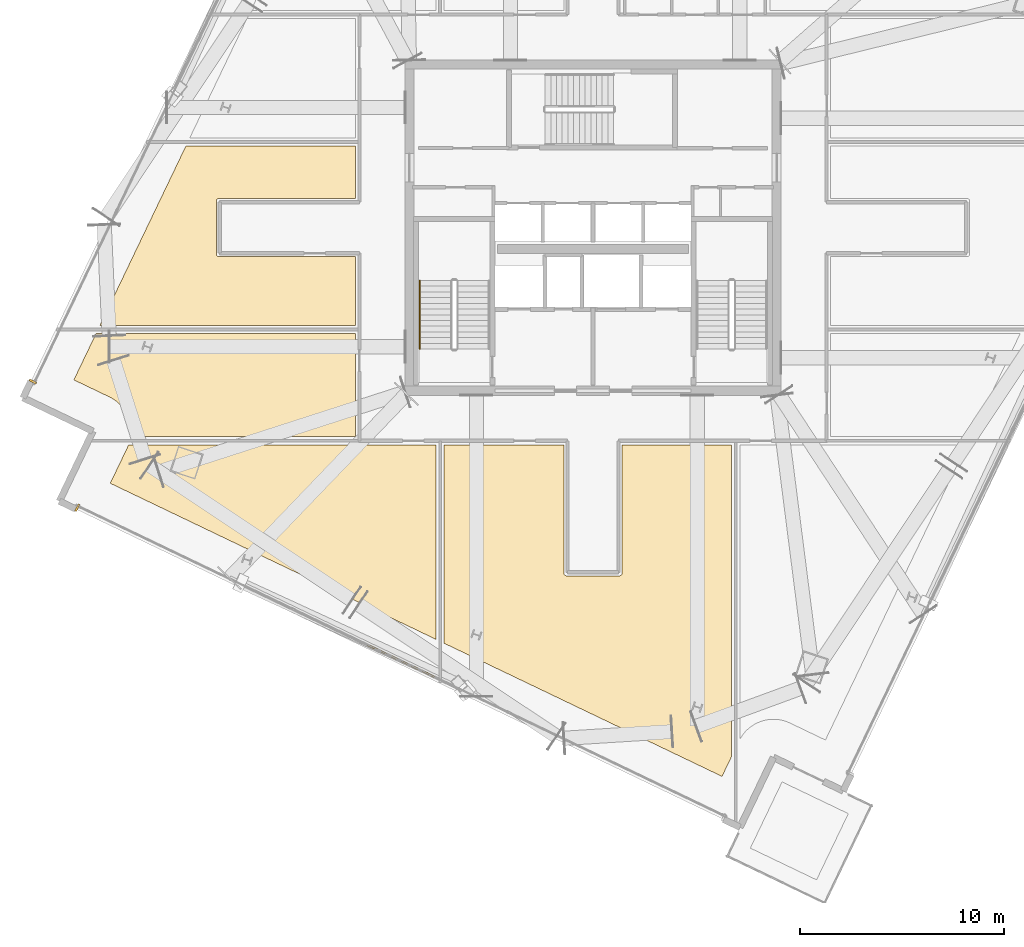
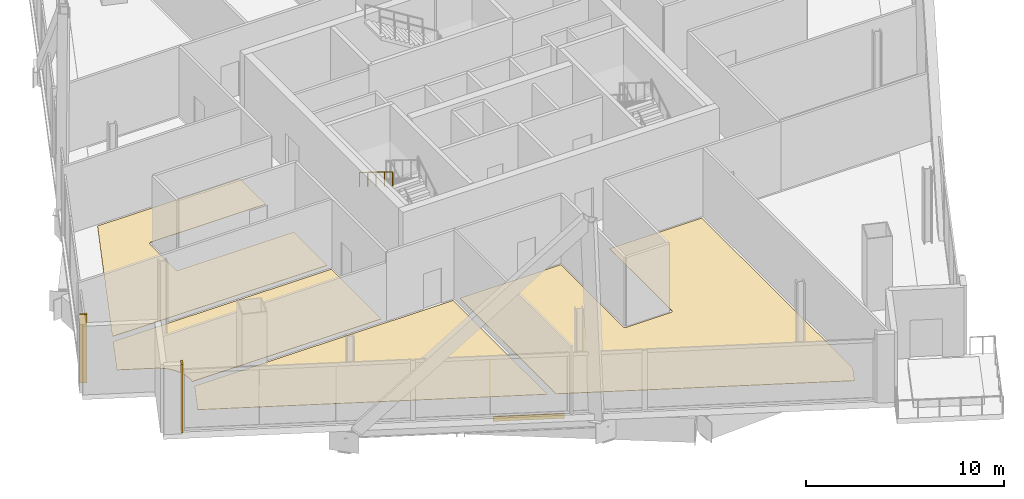
# One storey, part 20 of 24: 7 coverings, 1 railing.
"""IFC4 building model written with IfcOpenShell, lengths in metres."""

import ifcopenshell
import ifcopenshell.guid

model = None  # the IFC model being written
_history = None  # IfcOwnerHistory: only IFC2X3 demands one
_inside = {}  # id of a spatial element -> (the spatial element, [elements in it])
_under = {}  # id of a project, library or spatial element -> (it, [spatial elements below it])
_declared = {}  # id of a project -> (the project, [libraries it declares])
_typed = {}  # id of a type object -> (the type object, [elements of that type])
_made_of = {}  # id of a material, layer set ... -> (it, [elements and type objects made of it])


def new_model(schema):
    """Start an empty IFC model of exactly this schema.

    Asked for "IFC4X3", IfcOpenShell would pick the latest addendum, in which some entities
    have other attributes; the version numbers below select the first issue.
    IFC2X3 requires an IfcOwnerHistory on every rooted entity: one is made here for all.
    """
    global model, _history
    if schema == "IFC4X3":
        model = ifcopenshell.file(schema_version=(4, 3, 0, 0))
    else:
        model = ifcopenshell.file(schema=schema)
    _inside.clear()
    _under.clear()
    _declared.clear()
    _typed.clear()
    _made_of.clear()
    _history = None
    if model.schema == "IFC2X3":
        org = make("IfcOrganization", Name="unknown")
        user = make(
            "IfcPersonAndOrganization",
            ThePerson=make("IfcPerson", FamilyName="unknown"),
            TheOrganization=org,
        )
        app = make(
            "IfcApplication",
            ApplicationDeveloper=org,
            Version="unknown",
            ApplicationFullName="unknown",
            ApplicationIdentifier="unknown",
        )
        _history = make(
            "IfcOwnerHistory",
            OwningUser=user,
            OwningApplication=app,
            ChangeAction="ADDED",
            CreationDate=0,
        )
    return model


def make(cls, **values):
    """One entity of the class cls with the attributes given. An attribute that is None is left unset."""
    return model.create_entity(
        cls, **{name: value for name, value in values.items() if value is not None}
    )


def rooted(cls, **values):
    """An entity with a GlobalId (a new one), such as an element, a storey or a relation."""
    return make(cls, GlobalId=ifcopenshell.guid.new(), OwnerHistory=_history, **values)


def si_unit(unit_type, name, prefix=None):
    """IfcSIUnit, for example si_unit("LENGTHUNIT", "METRE", prefix="MILLI")."""
    return make("IfcSIUnit", UnitType=unit_type, Prefix=prefix, Name=name)


def assignment(units):
    """IfcUnitAssignment: the units of a project."""
    return None if units is None else make("IfcUnitAssignment", Units=units)


def point(xyz):
    """IfcCartesianPoint."""
    return None if xyz is None else make("IfcCartesianPoint", Coordinates=xyz)


def direction(xyz):
    """IfcDirection."""
    return None if xyz is None else make("IfcDirection", DirectionRatios=xyz)


def frame(location, z_axis=None, x_axis=None):
    """IfcAxis2Placement3D, a coordinate frame: its origin and axes. An axis left out is left unset."""
    return make(
        "IfcAxis2Placement3D",
        Location=point(location),
        Axis=direction(z_axis),
        RefDirection=direction(x_axis),
    )


def frame_2d(location, x_axis=None):
    """IfcAxis2Placement2D, a coordinate frame in the plane: its origin and x axis."""
    return make(
        "IfcAxis2Placement2D", Location=point(location), RefDirection=direction(x_axis)
    )


def origin():
    """The frame at (0, 0, 0) with its axes left unset."""
    return frame((0.0, 0.0, 0.0))


def origin_2d():
    """The frame at (0, 0) in the plane with its x axis left unset."""
    return frame_2d((0.0, 0.0))


def place(relative_to, where):
    """IfcLocalPlacement: puts the frame where relative to a parent placement (None: the world)."""
    return make(
        "IfcLocalPlacement", PlacementRelTo=relative_to, RelativePlacement=where
    )


def context(
    kind, dimensions, precision=None, world=None, true_north=None, identifier=None
):
    """IfcGeometricRepresentationContext, for example the 3D "Model" context."""
    return make(
        "IfcGeometricRepresentationContext",
        ContextIdentifier=identifier,
        ContextType=kind,
        CoordinateSpaceDimension=dimensions,
        Precision=precision,
        WorldCoordinateSystem=world,
        TrueNorth=true_north,
    )


def subcontext(parent, identifier, kind, view, scale=None):
    """IfcGeometricRepresentationSubContext, for example "Body" below "Model"."""
    return make(
        "IfcGeometricRepresentationSubContext",
        ContextIdentifier=identifier,
        ContextType=kind,
        ParentContext=parent,
        TargetScale=scale,
        TargetView=view,
    )


def project(units=None, contexts=None):
    """IfcProject with its units and contexts."""
    return rooted(
        "IfcProject",
        Name="project",
        RepresentationContexts=contexts,
        UnitsInContext=assignment(units),
    )


def spatial(cls, under=None, at=None, **own):
    """A site, building, storey or space (cls), placed at a placement, below another one or the project."""
    s = rooted(cls, ObjectPlacement=at, **own)
    if under is not None:
        _under.setdefault(under.id(), (under, []))[1].append(s)
    return s


def polyline(points):
    """IfcPolyline through the points."""
    return make("IfcPolyline", Points=[point(p) for p in points])


def profile(cls, at=None, kind="AREA", **sizes):
    """A parametric profile (cls). Its sizes go by their IFC names, for example OverallWidth=200.0."""
    return make(cls, ProfileType=kind, Position=at, **sizes)


def rectangle(**sizes):
    """IfcRectangleProfileDef."""
    return profile("IfcRectangleProfileDef", **sizes)


def outline(outer, holes=None, kind="AREA"):
    """IfcArbitraryClosedProfileDef: a profile drawn as a closed curve; with holes, ...WithVoids."""
    if holes is None:
        return make("IfcArbitraryClosedProfileDef", ProfileType=kind, OuterCurve=outer)
    return make(
        "IfcArbitraryProfileDefWithVoids",
        ProfileType=kind,
        OuterCurve=outer,
        InnerCurves=holes,
    )


def extrude(swept, where, along, depth):
    """IfcExtrudedAreaSolid: the profile swept, set in the frame where, extruded along a direction by depth."""
    return make(
        "IfcExtrudedAreaSolid",
        SweptArea=swept,
        Position=where,
        ExtrudedDirection=direction(along),
        Depth=depth,
    )


def shape(context_of_items, identifier, shape_type, items):
    """IfcShapeRepresentation: the items that make up one representation, for example the "Body"."""
    return make(
        "IfcShapeRepresentation",
        ContextOfItems=context_of_items,
        RepresentationIdentifier=identifier,
        RepresentationType=shape_type,
        Items=items,
    )


def source(mapping_origin, context_of_items, identifier, shape_type, items):
    """IfcRepresentationMap: a shape defined once, which mapped items show again and again."""
    return make(
        "IfcRepresentationMap",
        MappingOrigin=mapping_origin,
        MappedRepresentation=shape(context_of_items, identifier, shape_type, items),
    )


def transform(
    local_origin,
    x_axis=None,
    y_axis=None,
    z_axis=None,
    scale=None,
    scale2=None,
    scale3=None,
    uniform=True,
):
    """IfcCartesianTransformationOperator3D, or its non-uniform kind. x_axis, y_axis, z_axis: its Axis1, 2, 3."""
    if uniform:
        return make(
            "IfcCartesianTransformationOperator3D",
            Axis1=direction(x_axis),
            Axis2=direction(y_axis),
            LocalOrigin=point(local_origin),
            Scale=scale,
            Axis3=direction(z_axis),
        )
    return make(
        "IfcCartesianTransformationOperator3DnonUniform",
        Axis1=direction(x_axis),
        Axis2=direction(y_axis),
        LocalOrigin=point(local_origin),
        Scale=scale,
        Axis3=direction(z_axis),
        Scale2=scale2,
        Scale3=scale3,
    )


def mapped(mapping_source, mapping_target):
    """IfcMappedItem: shows the shape of a source again, moved by a transform."""
    return make(
        "IfcMappedItem", MappingSource=mapping_source, MappingTarget=mapping_target
    )


def material(Name=None, Category=None):
    """IfcMaterial."""
    return make("IfcMaterial", Name=Name, Category=Category)


def layer(
    of_material, thickness, ventilated=None, Name=None, Category=None, Priority=None
):
    """IfcMaterialLayer: one layer of a wall or slab, of a material (None: an air gap)."""
    return make(
        "IfcMaterialLayer",
        Material=of_material,
        LayerThickness=thickness,
        IsVentilated=ventilated,
        Name=Name,
        Category=Category,
        Priority=Priority,
    )


def layer_set(layers, Name=None):
    """IfcMaterialLayerSet."""
    return make("IfcMaterialLayerSet", MaterialLayers=layers, LayerSetName=Name)


def made_of(thing, what):
    """Note that an element or type object is made of a material, layer set ...; save() writes the relation."""
    if what is not None:
        _made_of.setdefault(what.id(), (what, []))[1].append(thing)
    return thing


def type_object(cls, material=None, **own):
    """A type object (cls), such as IfcWallType, which elements share."""
    return made_of(rooted(cls, **own), material)


def element(
    cls,
    number,
    at=None,
    inside=None,
    cuts=None,
    type_object=None,
    material=None,
    context=None,
    identifier="Body",
    shape_type=None,
    held_by="IfcProductDefinitionShape",
    body=None,
    shapes=None,
    **own,
):
    """One element of the class cls, such as IfcWall. Its Tag is "e" and its number.

    at: its placement. inside: the storey or other place that contains it. cuts: it is an
    opening in that element (IfcRelVoidsElement). A single representation is given by context,
    identifier, shape_type and body (its items); several are given by shapes. held_by: the class
    of the entity that holds the representations. save() writes the other relations.
    """
    e = rooted(cls, Tag="e%d" % number, ObjectPlacement=at, **own)
    if body is not None:
        shapes = [shape(context, identifier, shape_type, body)]
    if shapes is not None:
        e.Representation = make(held_by, Representations=shapes)
    if inside is not None:
        _inside.setdefault(inside.id(), (inside, []))[1].append(e)
    if cuts is not None:
        rooted(
            "IfcRelVoidsElement", RelatingBuildingElement=cuts, RelatedOpeningElement=e
        )
    if type_object is not None:
        _typed.setdefault(type_object.id(), (type_object, []))[1].append(e)
    return made_of(e, material)


def aggregate(whole, parts):
    """IfcRelAggregates: a whole, such as a stair, and the parts it consists of."""
    return rooted("IfcRelAggregates", RelatingObject=whole, RelatedObjects=parts)


def save(model, path):
    """Write the relations noted so far, then the file.

    IfcRelAggregates (storeys below a building ...), IfcRelContainedInSpatialStructure (elements
    in a storey), IfcRelDefinesByType, IfcRelAssociatesMaterial and IfcRelDeclares: one each for
    every whole, place, type object, material and project.
    """
    for whole, parts in _under.values():
        aggregate(whole, parts)
    for where, things in _inside.values():
        rooted(
            "IfcRelContainedInSpatialStructure",
            RelatedElements=things,
            RelatingStructure=where,
        )
    for kind, things in _typed.values():
        rooted("IfcRelDefinesByType", RelatedObjects=things, RelatingType=kind)
    for what, things in _made_of.values():
        rooted("IfcRelAssociatesMaterial", RelatedObjects=things, RelatingMaterial=what)
    for by, libraries in _declared.values():
        rooted("IfcRelDeclares", RelatingContext=by, RelatedDefinitions=libraries)
    model.write(path)


model = new_model("IFC4")

# Units and contexts
model_context = context("Model", 3, precision=1e-05, world=origin(), true_north=direction((0.0, 1.0)))
body_context = subcontext(model_context, "Body", "Model", "MODEL_VIEW")
ifc_project = project(units=[si_unit("LENGTHUNIT", "METRE"), si_unit("AREAUNIT", "SQUARE_METRE"), si_unit("VOLUMEUNIT", "CUBIC_METRE"), si_unit("PLANEANGLEUNIT", "RADIAN"), si_unit("MASSUNIT", "GRAM", prefix="KILO")], contexts=[model_context])

# Site, building, storey
site_placement = place(None, origin())
site = spatial("IfcSite", under=ifc_project, at=site_placement, CompositionType="ELEMENT")
building_placement = place(site_placement, origin())
building = spatial("IfcBuilding", under=site, at=building_placement, Name="Haldenkirk Collegiate Tower", CompositionType="ELEMENT")
storey_placement = place(building_placement, frame((0.0, 0.0, 244.199951171875)))
storey = spatial("IfcBuildingStorey", under=building, at=storey_placement, Name="L61", CompositionType="ELEMENT", Elevation=244.199951171875)

# Coverings
ifc_material_1 = material(Name="Polished collegiate terrazzo", Category="concrete")
ifc_layer_1 = layer(ifc_material_1, 0.02490234375)
ifc_layer_set_1 = layer_set([ifc_layer_1], Name="Polished collegiate terrazzo")
covering_type_1 = type_object("IfcCoveringType", Name="COV-FLOOR-TERRAZZO", PredefinedType="FLOORING", material=ifc_layer_set_1)
covering_1_placement = place(storey_placement, origin())
element("IfcCovering", 1, at=covering_1_placement, inside=storey, type_object=covering_type_1, Name="L61 academic room finish 02", PredefinedType="FLOORING", context=body_context, shape_type="SweptSolid", body=[
    extrude(outline(polyline([(42.325927734375, -0.904296875), (28.699951171875, 5.6240234375), (28.699951171875, 15.35009765625), (34.580078125, 15.35009765625), (34.580078125, 9.050048828125), (34.58056640625, 9.0380859375), (34.582275390625, 9.026611328125), (34.585205078125, 9.01513671875), (34.589111328125, 9.004150390625), (34.59423828125, 8.993408203125), (34.60009765625, 8.9833984375), (34.607177734375, 8.973876953125), (34.614990234375, 8.965087890625), (34.623779296875, 8.957275390625), (34.63330078125, 8.9501953125), (34.643310546875, 8.944091796875), (34.654052734375, 8.939208984375), (34.665283203125, 8.935302734375), (34.676513671875, 8.932373046875), (34.688232421875, 8.9306640625), (34.699951171875, 8.929931640625), (37.300048828125, 8.929931640625), (37.311767578125, 8.9306640625), (37.323486328125, 8.932373046875), (37.334716796875, 8.935302734375), (37.345947265625, 8.939208984375), (37.356689453125, 8.944091796875), (37.36669921875, 8.9501953125), (37.376220703125, 8.957275390625), (37.385009765625, 8.965087890625), (37.392822265625, 8.973876953125), (37.39990234375, 8.9833984375), (37.40576171875, 8.993408203125), (37.410888671875, 9.004150390625), (37.414794921875, 9.01513671875), (37.417724609375, 9.026611328125), (37.41943359375, 9.0380859375), (37.419921875, 9.050048828125), (37.419921875, 15.35009765625), (42.800048828125, 15.35009765625), (42.800048828125, 0.0849609375), (42.325927734375, -0.904296875)])), origin(), (0.0, 0.0, 1.0), 0.025146484375),
])
covering_2_placement = place(storey_placement, origin())
element("IfcCovering", 2, at=covering_2_placement, inside=storey, type_object=covering_type_1, Name="L61 academic room finish 06", PredefinedType="FLOORING", context=body_context, shape_type="SweptSolid", body=[
    extrude(outline(polyline([(13.3291015625, 15.75), (13.34521484375, 15.908203125), (13.345947265625, 15.919921875), (13.3466796875, 16.091796875), (13.34619140625, 16.103515625), (13.330322265625, 16.2744140625), (13.32861328125, 16.2861328125), (13.2958984375, 16.45458984375), (13.293212890625, 16.46630859375), (13.244140625, 16.630859375), (13.240234375, 16.641845703125), (13.17529296875, 16.80078125), (13.17041015625, 16.8115234375), (13.090087890625, 16.96337890625), (13.083984375, 16.9736328125), (12.989501953125, 17.11669921875), (12.982421875, 17.126220703125), (12.8740234375, 17.259521484375), (12.8662109375, 17.268310546875), (12.74560546875, 17.390380859375), (12.73681640625, 17.3984375), (12.6044921875, 17.508056640625), (12.59521484375, 17.514892578125), (12.452880859375, 17.611083984375), (12.44287109375, 17.6171875), (12.291748046875, 17.698974609375), (12.28662109375, 17.70166015625), (10.5458984375, 18.53564453125), (11.630859375, 20.800048828125), (24.35009765625, 20.800048828125), (24.35009765625, 15.75), (13.3291015625, 15.75)])), origin(), (0.0, 0.0, 1.0), 0.025146484375),
])
ifc_material_2 = material(Name="Engineered collegiate oak acoustic flooring", Category="wood")
ifc_layer_2 = layer(ifc_material_2, 0.02197265625)
ifc_layer_set_2 = layer_set([ifc_layer_2], Name="Engineered collegiate oak acoustic flooring")
covering_type_2 = type_object("IfcCoveringType", Name="COV-FLOOR-TIMBER", PredefinedType="FLOORING", material=ifc_layer_set_2)
covering_3_placement = place(storey_placement, origin())
element("IfcCovering", 3, at=covering_3_placement, inside=storey, type_object=covering_type_2, Name="L61 academic room finish 01", PredefinedType="FLOORING", context=body_context, shape_type="SweptSolid", body=[
    extrude(outline(polyline([(12.3310546875, 13.466796875), (13.164794921875, 15.207275390625), (13.167236328125, 15.212646484375), (13.22509765625, 15.35009765625), (28.300048828125, 15.35009765625), (28.300048828125, 5.815673828125), (12.3310546875, 13.466796875)])), origin(), (0.0, 0.0, 1.0), 0.02197265625),
])
covering_4_placement = place(storey_placement, origin())
element("IfcCovering", 4, at=covering_4_placement, inside=storey, type_object=covering_type_2, Name="L61 academic room finish 07", PredefinedType="FLOORING", context=body_context, shape_type="SweptSolid", body=[
    extrude(outline(polyline([(16.038818359375, 30.0), (24.35009765625, 30.0), (24.35009765625, 27.419921875), (17.64990234375, 27.419921875), (17.63818359375, 27.41943359375), (17.626708984375, 27.417724609375), (17.615234375, 27.414794921875), (17.60400390625, 27.410888671875), (17.593505859375, 27.40576171875), (17.583251953125, 27.39990234375), (17.573974609375, 27.392822265625), (17.565185546875, 27.385009765625), (17.55712890625, 27.376220703125), (17.55029296875, 27.36669921875), (17.544189453125, 27.356689453125), (17.5390625, 27.345947265625), (17.53515625, 27.334716796875), (17.5322265625, 27.323486328125), (17.530517578125, 27.311767578125), (17.530029296875, 27.300048828125), (17.530029296875, 24.699951171875), (17.530517578125, 24.688232421875), (17.5322265625, 24.676513671875), (17.53515625, 24.665283203125), (17.5390625, 24.654052734375), (17.544189453125, 24.643310546875), (17.55029296875, 24.63330078125), (17.55712890625, 24.623779296875), (17.565185546875, 24.614990234375), (17.573974609375, 24.607177734375), (17.583251953125, 24.60009765625), (17.593505859375, 24.59423828125), (17.60400390625, 24.589111328125), (17.615234375, 24.585205078125), (17.626708984375, 24.582275390625), (17.63818359375, 24.58056640625), (17.64990234375, 24.580078125), (24.35009765625, 24.580078125), (24.35009765625, 21.199951171875), (11.822509765625, 21.199951171875), (16.038818359375, 30.0)])), origin(), (0.0, 0.0, 1.0), 0.02197265625),
])

# Railing
ifc_material_3 = material(Name="Painted architectural tubular steel", Category="steel")
railing_type = type_object("IfcRailingType", Name="RLG-STAIR-HANDRAIL-900", PredefinedType="HANDRAIL", material=ifc_material_3)
railing_placement = place(storey_placement, frame((27.5, 23.409912109375, 2.423095703125)))
element("IfcRailing", 5, at=railing_placement, inside=storey, type_object=railing_type, Name="L61 ST-1 stair handrail 2", PredefinedType="HANDRAIL", context=body_context, shape_type="SweptSolid", body=[
    extrude(rectangle(XDim=0.048095703125, YDim=0.048095703125, at=origin_2d()), frame((0.0, 0.0, 0.8759765625), z_axis=(0.0, -0.850606129759, 0.525803396734), x_axis=(1.0, 0.0, 0.0)), (0.0, 0.0, 1.0), 3.949951171875),
    extrude(rectangle(XDim=0.0419921875, YDim=0.0419921875, at=origin_2d()), origin(), (0.0, 0.0, 1.0), 0.851806640625),
    extrude(rectangle(XDim=0.0419921875, YDim=0.0419921875, at=origin_2d()), frame((0.0, -0.83984375, 0.519287109375)), (0.0, 0.0, 1.0), 0.851806640625),
    extrude(rectangle(XDim=0.0419921875, YDim=0.0419921875, at=origin_2d()), frame((0.0, -1.679931640625, 1.03857421875)), (0.0, 0.0, 1.0), 0.851806640625),
    extrude(rectangle(XDim=0.0419921875, YDim=0.0419921875, at=origin_2d()), frame((0.0, -2.52001953125, 1.5576171875)), (0.0, 0.0, 1.0), 0.851806640625),
    extrude(rectangle(XDim=0.0419921875, YDim=0.0419921875, at=origin_2d()), frame((0.0, -3.35986328125, 2.076904296875)), (0.0, 0.0, 1.0), 0.851806640625),
])

# Coverings
ifc_material_4 = material(Name="Anodised architectural bronze aluminium", Category="aluminium")
ifc_layer_3 = layer(ifc_material_4, 0.06005859375)
ifc_layer_set_3 = layer_set([ifc_layer_3], Name="Anodised architectural bronze aluminium")
covering_type_3 = type_object("IfcCoveringType", Name="COV-CLAD-BRONZE-60", PredefinedType="CLADDING", material=ifc_layer_set_3)
shared_shape_1 = source(origin(), body_context, "Body", "SweptSolid", [
    extrude(rectangle(XDim=3.60009765625, YDim=0.06005859375, at=origin_2d()), origin(), (0.0, 0.0, 1.0), 0.300048828125),
])
covering_5_placement = place(storey_placement, frame((26.598388671875, 4.7568359375, -0.2998046875), z_axis=(0.0, 0.0, 1.0), x_axis=(-0.901832526405, 0.432085748802, 0.0)))
element("IfcCovering", 6, at=covering_5_placement, inside=storey, type_object=covering_type_3, Name="L61 architectural bronze spandrel cladding W", PredefinedType="CLADDING", context=body_context, shape_type="MappedRepresentation", body=[
    mapped(shared_shape_1, transform((0.0, 0.0, 0.0), x_axis=(1.0, 0.0, 0.0), y_axis=(0.0, 1.0, 0.0), z_axis=(0.0, 0.0, 1.0), scale=1.0)),
])
shared_shape_2 = source(origin(), body_context, "Body", "SweptSolid", [
    extrude(rectangle(XDim=0.10009765625, YDim=0.3798828125, at=origin_2d()), origin(), (0.0, 0.0, 1.0), 4.22998046875),
])
for number, where, z_axis, x_axis, name in (
    (7, (8.534423828125, 18.456787109375, 0.0), (0.0, 0.0, 1.0), (0.432085748802, 0.901832526405, 0.0), "L61 recessed curtain-wall bronze jamb closure NJL"),
    (8, (10.714111328125, 12.267578125, 0.0), (0.0, 0.0, 1.0), (-0.901832526405, 0.432085748802, 0.0), "L61 recessed curtain-wall bronze jamb closure WJR"),
):
    element("IfcCovering", number, at=place(storey_placement, frame(where, z_axis=z_axis, x_axis=x_axis)), inside=storey, type_object=covering_type_3, Name=name, PredefinedType="CLADDING", context=body_context, shape_type="MappedRepresentation", body=[
        mapped(shared_shape_2, transform((0.0, 0.0, 0.0), x_axis=(1.0, 0.0, 0.0), y_axis=(0.0, 1.0, 0.0), z_axis=(0.0, 0.0, 1.0), scale=1.0)),
    ])

save(model, "model.ifc")
